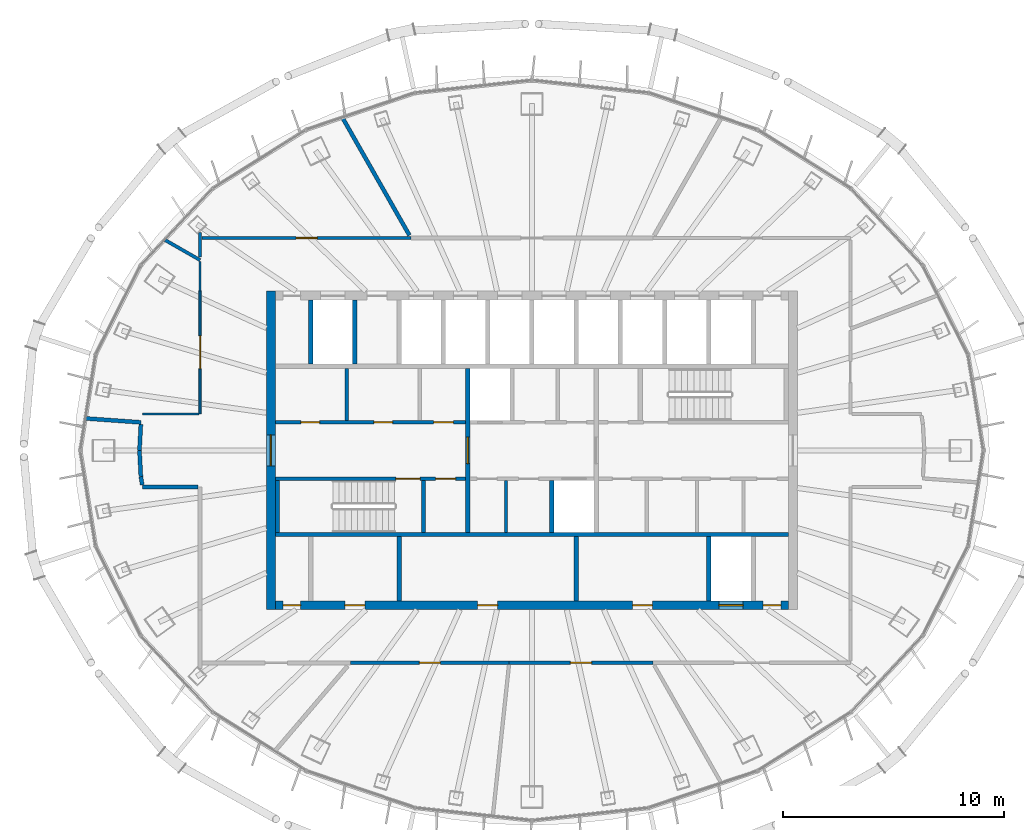
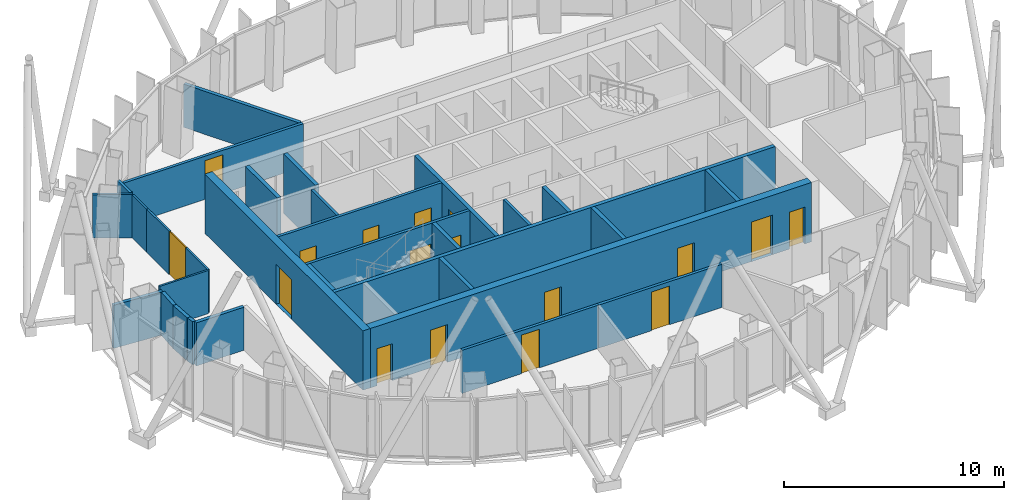
# One storey, part 9 of 18: 30 walls, 17 doors, 17 openings.
"""IFC4 building model written with IfcOpenShell, lengths in metres."""

import ifcopenshell
import ifcopenshell.guid

model = None  # the IFC model being written
_history = None  # IfcOwnerHistory: only IFC2X3 demands one
_inside = {}  # id of a spatial element -> (the spatial element, [elements in it])
_under = {}  # id of a project, library or spatial element -> (it, [spatial elements below it])
_declared = {}  # id of a project -> (the project, [libraries it declares])
_typed = {}  # id of a type object -> (the type object, [elements of that type])
_made_of = {}  # id of a material, layer set ... -> (it, [elements and type objects made of it])


def new_model(schema):
    """Start an empty IFC model of exactly this schema.

    Asked for "IFC4X3", IfcOpenShell would pick the latest addendum, in which some entities
    have other attributes; the version numbers below select the first issue.
    IFC2X3 requires an IfcOwnerHistory on every rooted entity: one is made here for all.
    """
    global model, _history
    if schema == "IFC4X3":
        model = ifcopenshell.file(schema_version=(4, 3, 0, 0))
    else:
        model = ifcopenshell.file(schema=schema)
    _inside.clear()
    _under.clear()
    _declared.clear()
    _typed.clear()
    _made_of.clear()
    _history = None
    if model.schema == "IFC2X3":
        org = make("IfcOrganization", Name="unknown")
        user = make(
            "IfcPersonAndOrganization",
            ThePerson=make("IfcPerson", FamilyName="unknown"),
            TheOrganization=org,
        )
        app = make(
            "IfcApplication",
            ApplicationDeveloper=org,
            Version="unknown",
            ApplicationFullName="unknown",
            ApplicationIdentifier="unknown",
        )
        _history = make(
            "IfcOwnerHistory",
            OwningUser=user,
            OwningApplication=app,
            ChangeAction="ADDED",
            CreationDate=0,
        )
    return model


def make(cls, **values):
    """One entity of the class cls with the attributes given. An attribute that is None is left unset."""
    return model.create_entity(
        cls, **{name: value for name, value in values.items() if value is not None}
    )


def rooted(cls, **values):
    """An entity with a GlobalId (a new one), such as an element, a storey or a relation."""
    return make(cls, GlobalId=ifcopenshell.guid.new(), OwnerHistory=_history, **values)


def si_unit(unit_type, name, prefix=None):
    """IfcSIUnit, for example si_unit("LENGTHUNIT", "METRE", prefix="MILLI")."""
    return make("IfcSIUnit", UnitType=unit_type, Prefix=prefix, Name=name)


def assignment(units):
    """IfcUnitAssignment: the units of a project."""
    return None if units is None else make("IfcUnitAssignment", Units=units)


def point(xyz):
    """IfcCartesianPoint."""
    return None if xyz is None else make("IfcCartesianPoint", Coordinates=xyz)


def direction(xyz):
    """IfcDirection."""
    return None if xyz is None else make("IfcDirection", DirectionRatios=xyz)


def frame(location, z_axis=None, x_axis=None):
    """IfcAxis2Placement3D, a coordinate frame: its origin and axes. An axis left out is left unset."""
    return make(
        "IfcAxis2Placement3D",
        Location=point(location),
        Axis=direction(z_axis),
        RefDirection=direction(x_axis),
    )


def frame_2d(location, x_axis=None):
    """IfcAxis2Placement2D, a coordinate frame in the plane: its origin and x axis."""
    return make(
        "IfcAxis2Placement2D", Location=point(location), RefDirection=direction(x_axis)
    )


def origin():
    """The frame at (0, 0, 0) with its axes left unset."""
    return frame((0.0, 0.0, 0.0))


def place(relative_to, where):
    """IfcLocalPlacement: puts the frame where relative to a parent placement (None: the world)."""
    return make(
        "IfcLocalPlacement", PlacementRelTo=relative_to, RelativePlacement=where
    )


def context(
    kind, dimensions, precision=None, world=None, true_north=None, identifier=None
):
    """IfcGeometricRepresentationContext, for example the 3D "Model" context."""
    return make(
        "IfcGeometricRepresentationContext",
        ContextIdentifier=identifier,
        ContextType=kind,
        CoordinateSpaceDimension=dimensions,
        Precision=precision,
        WorldCoordinateSystem=world,
        TrueNorth=true_north,
    )


def subcontext(parent, identifier, kind, view, scale=None):
    """IfcGeometricRepresentationSubContext, for example "Body" below "Model"."""
    return make(
        "IfcGeometricRepresentationSubContext",
        ContextIdentifier=identifier,
        ContextType=kind,
        ParentContext=parent,
        TargetScale=scale,
        TargetView=view,
    )


def project(units=None, contexts=None):
    """IfcProject with its units and contexts."""
    return rooted(
        "IfcProject",
        Name="project",
        RepresentationContexts=contexts,
        UnitsInContext=assignment(units),
    )


def spatial(cls, under=None, at=None, **own):
    """A site, building, storey or space (cls), placed at a placement, below another one or the project."""
    s = rooted(cls, ObjectPlacement=at, **own)
    if under is not None:
        _under.setdefault(under.id(), (under, []))[1].append(s)
    return s


def profile(cls, at=None, kind="AREA", **sizes):
    """A parametric profile (cls). Its sizes go by their IFC names, for example OverallWidth=200.0."""
    return make(cls, ProfileType=kind, Position=at, **sizes)


def rectangle(**sizes):
    """IfcRectangleProfileDef."""
    return profile("IfcRectangleProfileDef", **sizes)


def extrude(swept, where, along, depth):
    """IfcExtrudedAreaSolid: the profile swept, set in the frame where, extruded along a direction by depth."""
    return make(
        "IfcExtrudedAreaSolid",
        SweptArea=swept,
        Position=where,
        ExtrudedDirection=direction(along),
        Depth=depth,
    )


def shape(context_of_items, identifier, shape_type, items):
    """IfcShapeRepresentation: the items that make up one representation, for example the "Body"."""
    return make(
        "IfcShapeRepresentation",
        ContextOfItems=context_of_items,
        RepresentationIdentifier=identifier,
        RepresentationType=shape_type,
        Items=items,
    )


def material(Name=None, Category=None):
    """IfcMaterial."""
    return make("IfcMaterial", Name=Name, Category=Category)


def layer(
    of_material, thickness, ventilated=None, Name=None, Category=None, Priority=None
):
    """IfcMaterialLayer: one layer of a wall or slab, of a material (None: an air gap)."""
    return make(
        "IfcMaterialLayer",
        Material=of_material,
        LayerThickness=thickness,
        IsVentilated=ventilated,
        Name=Name,
        Category=Category,
        Priority=Priority,
    )


def layer_set(layers, Name=None):
    """IfcMaterialLayerSet."""
    return make("IfcMaterialLayerSet", MaterialLayers=layers, LayerSetName=Name)


def made_of(thing, what):
    """Note that an element or type object is made of a material, layer set ...; save() writes the relation."""
    if what is not None:
        _made_of.setdefault(what.id(), (what, []))[1].append(thing)
    return thing


def type_object(cls, material=None, **own):
    """A type object (cls), such as IfcWallType, which elements share."""
    return made_of(rooted(cls, **own), material)


def element(
    cls,
    number,
    at=None,
    inside=None,
    cuts=None,
    type_object=None,
    material=None,
    context=None,
    identifier="Body",
    shape_type=None,
    held_by="IfcProductDefinitionShape",
    body=None,
    shapes=None,
    **own,
):
    """One element of the class cls, such as IfcWall. Its Tag is "e" and its number.

    at: its placement. inside: the storey or other place that contains it. cuts: it is an
    opening in that element (IfcRelVoidsElement). A single representation is given by context,
    identifier, shape_type and body (its items); several are given by shapes. held_by: the class
    of the entity that holds the representations. save() writes the other relations.
    """
    e = rooted(cls, Tag="e%d" % number, ObjectPlacement=at, **own)
    if body is not None:
        shapes = [shape(context, identifier, shape_type, body)]
    if shapes is not None:
        e.Representation = make(held_by, Representations=shapes)
    if inside is not None:
        _inside.setdefault(inside.id(), (inside, []))[1].append(e)
    if cuts is not None:
        rooted(
            "IfcRelVoidsElement", RelatingBuildingElement=cuts, RelatedOpeningElement=e
        )
    if type_object is not None:
        _typed.setdefault(type_object.id(), (type_object, []))[1].append(e)
    return made_of(e, material)


def fill(opening, filler):
    """IfcRelFillsElement: the door or window that sits in an opening."""
    return rooted(
        "IfcRelFillsElement",
        RelatingOpeningElement=opening,
        RelatedBuildingElement=filler,
    )


def aggregate(whole, parts):
    """IfcRelAggregates: a whole, such as a stair, and the parts it consists of."""
    return rooted("IfcRelAggregates", RelatingObject=whole, RelatedObjects=parts)


def save(model, path):
    """Write the relations noted so far, then the file.

    IfcRelAggregates (storeys below a building ...), IfcRelContainedInSpatialStructure (elements
    in a storey), IfcRelDefinesByType, IfcRelAssociatesMaterial and IfcRelDeclares: one each for
    every whole, place, type object, material and project.
    """
    for whole, parts in _under.values():
        aggregate(whole, parts)
    for where, things in _inside.values():
        rooted(
            "IfcRelContainedInSpatialStructure",
            RelatedElements=things,
            RelatingStructure=where,
        )
    for kind, things in _typed.values():
        rooted("IfcRelDefinesByType", RelatedObjects=things, RelatingType=kind)
    for what, things in _made_of.values():
        rooted("IfcRelAssociatesMaterial", RelatedObjects=things, RelatingMaterial=what)
    for by, libraries in _declared.values():
        rooted("IfcRelDeclares", RelatingContext=by, RelatedDefinitions=libraries)
    model.write(path)


model = new_model("IFC4")

# Units and contexts
model_context = context("Model", 3, precision=1e-05, world=origin(), true_north=direction((0.0, 1.0)))
body_context = subcontext(model_context, "Body", "Model", "MODEL_VIEW")
ifc_project = project(units=[si_unit("LENGTHUNIT", "METRE"), si_unit("AREAUNIT", "SQUARE_METRE"), si_unit("VOLUMEUNIT", "CUBIC_METRE"), si_unit("PLANEANGLEUNIT", "RADIAN"), si_unit("MASSUNIT", "GRAM", prefix="KILO")], contexts=[model_context])

# Site, building, storey
site_placement = place(None, origin())
site = spatial("IfcSite", under=ifc_project, at=site_placement, CompositionType="ELEMENT")
building_placement = place(site_placement, origin())
building = spatial("IfcBuilding", under=site, at=building_placement, Name="Siaravel Broadcast Tower", CompositionType="ELEMENT")
storey_placement = place(building_placement, frame((0.0, 0.0, 261.5)))
storey = spatial("IfcBuildingStorey", under=building, at=storey_placement, Name="L64", CompositionType="ELEMENT", Elevation=261.5)

# Walls
ifc_material_1 = material(Name="Concrete blockwork", Category="masonry")
ifc_layer_1 = layer(ifc_material_1, 0.14990234375)
ifc_layer_set_1 = layer_set([ifc_layer_1], Name="Concrete blockwork")
wall_type_1 = type_object("IfcWallType", Name="Core partition 150", PredefinedType="PARTITIONING", material=ifc_layer_set_1)
for number, where, z_axis, x_axis, name in (
    (1, (-8.37109375, 1.35009765625, 0.0), (0.0, 0.0, 1.0), (0.0, 1.0, 0.0), "L64 core partition PNW0"),
    (2, (-1.172607421875, -3.699951171875, 0.0), (0.0, 0.0, 1.0), (0.0, 1.0, 0.0), "L64 core partition PSM0"),
):
    element("IfcWall", number, at=place(storey_placement, frame(where, z_axis=z_axis, x_axis=x_axis)), inside=storey, type_object=wall_type_1, Name=name, PredefinedType="PARTITIONING", context=body_context, shape_type="SweptSolid", body=[
        extrude(rectangle(XDim=2.349853515625, YDim=0.14990234375, at=frame_2d((1.1748046875, 0.0))), origin(), (0.0, 0.0, 1.0), 3.300048828125),
    ])
ifc_layer_2 = layer(ifc_material_1, 0.199951171875)
ifc_layer_set_2 = layer_set([ifc_layer_2], Name="Concrete blockwork")
wall_type_2 = type_object("IfcWallType", Name="Core partition 200", PredefinedType="PARTITIONING", material=ifc_layer_set_2)
for number, where, z_axis, x_axis, name in (
    (3, (-6.0, -6.800048828125, 0.0), (0.0, 0.0, 1.0), (0.0, 1.0, 0.0), "L64 core partition PFS0"),
    (4, (2.0, -6.800048828125, 0.0), (0.0, 0.0, 1.0), (0.0, 1.0, 0.0), "L64 core partition PFS2"),
):
    element("IfcWall", number, at=place(storey_placement, frame(where, z_axis=z_axis, x_axis=x_axis)), inside=storey, type_object=wall_type_2, Name=name, PredefinedType="PARTITIONING", context=body_context, shape_type="SweptSolid", body=[
        extrude(rectangle(XDim=2.900146484375, YDim=0.199951171875, at=frame_2d((1.4501953125, 0.0))), origin(), (0.0, 0.0, 1.0), 3.300048828125),
    ])

# Wall, opening, door
ifc_material_2 = material(Name="Concrete C60/75", Category="concrete")
ifc_layer_3 = layer(ifc_material_2, 0.39990234375)
ifc_layer_set_3 = layer_set([ifc_layer_3], Name="Concrete C60/75")
wall_type_3 = type_object("IfcWallType", Name="Core wall 400", PredefinedType="SHEAR", material=ifc_layer_set_3)
wall_1_placement = place(storey_placement, frame((-11.800048828125, -7.199951171875, 0.0), z_axis=(0.0, 0.0, 1.0), x_axis=(0.0, 1.0, 0.0)))
wall_1 = element("IfcWall", 5, at=wall_1_placement, inside=storey, type_object=wall_type_3, Name="L64 core wall OW", PredefinedType="SHEAR", context=body_context, shape_type="SweptSolid", body=[
    extrude(rectangle(XDim=14.39990234375, YDim=0.39990234375, at=frame_2d((7.199951171875, 0.0))), origin(), (0.0, 0.0, 1.0), 3.300048828125),
])
opening_1_placement = place(wall_1_placement, frame((6.5, 0.0, 0.0)))
opening_1 = element("IfcOpeningElement", 6, at=opening_1_placement, cuts=wall_1, Name="Opening L64-DX-W", PredefinedType="OPENING", context=body_context, shape_type="SweptSolid", body=[
    extrude(rectangle(XDim=1.39990234375, YDim=2.199951171875, at=frame_2d((0.699951171875, 1.10009765625))), frame((0.0, 0.2099609375, 0.0), z_axis=(0.0, -1.0, 0.0), x_axis=(1.0, 0.0, 0.0)), (0.0, 0.0, 1.0), 0.419921875),
])
ifc_material_3 = material(Name="Steel", Category="steel")
door_type_1 = type_object("IfcDoorType", Name="Core exit door 1400", OperationType="DOUBLE_DOOR_SINGLE_SWING", PredefinedType="DOOR", material=ifc_material_3)
door_1_placement = place(opening_1_placement, origin())
door_1 = element("IfcDoor", 7, at=door_1_placement, inside=storey, type_object=door_type_1, Name="L64 door DX-W", OperationType="DOUBLE_DOOR_SINGLE_SWING", OverallHeight=2.199951171875, OverallWidth=1.39990234375, PredefinedType="DOOR", context=body_context, shape_type="SweptSolid", body=[
    extrude(rectangle(XDim=1.39990234375, YDim=2.199951171875, at=frame_2d((0.699951171875, 1.10009765625))), frame((0.0, 0.02490234375, 0.0), z_axis=(0.0, -1.0, 0.0), x_axis=(1.0, 0.0, 0.0)), (0.0, 0.0, 1.0), 0.050048828125),
])
fill(opening_1, door_1)

# Wall, openings, doors
wall_2_placement = place(storey_placement, frame((-11.60009765625, -7.0, 0.0), z_axis=(0.0, 0.0, 1.0), x_axis=(1.0, 0.0, 0.0)))
wall_2 = element("IfcWall", 8, at=wall_2_placement, inside=storey, type_object=wall_type_3, Name="L64 core wall OS", PredefinedType="SHEAR", context=body_context, shape_type="SweptSolid", body=[
    extrude(rectangle(XDim=23.2001953125, YDim=0.39990234375, at=frame_2d((11.60009765625, 0.0))), origin(), (0.0, 0.0, 1.0), 3.300048828125),
])
opening_2_placement = place(wall_2_placement, frame((20.050048828125, 0.0, 0.0)))
opening_2 = element("IfcOpeningElement", 9, at=opening_2_placement, cuts=wall_2, Name="Opening LD-SV1-L64", PredefinedType="OPENING", context=body_context, shape_type="SweptSolid", body=[
    extrude(rectangle(XDim=1.10009765625, YDim=2.199951171875, at=frame_2d((0.550048828125, 1.10009765625))), frame((0.0, 0.2099609375, 0.0), z_axis=(0.0, -1.0, 0.0), x_axis=(1.0, 0.0, 0.0)), (0.0, 0.0, 1.0), 0.419921875),
])
opening_3_placement = place(wall_2_placement, frame((3.14990234375, 0.0, 0.0)))
opening_3 = element("IfcOpeningElement", 10, at=opening_3_placement, cuts=wall_2, Name="Opening L64-DFS0", PredefinedType="OPENING", context=body_context, shape_type="SweptSolid", body=[
    extrude(rectangle(XDim=0.89990234375, YDim=2.10009765625, at=frame_2d((0.449951171875, 1.050048828125))), frame((0.0, 0.2099609375, 0.0), z_axis=(0.0, -1.0, 0.0), x_axis=(1.0, 0.0, 0.0)), (0.0, 0.0, 1.0), 0.419921875),
])
opening_4_placement = place(wall_2_placement, frame((9.14990234375, 0.0, 0.0)))
opening_4 = element("IfcOpeningElement", 11, at=opening_4_placement, cuts=wall_2, Name="Opening L64-DFS2", PredefinedType="OPENING", context=body_context, shape_type="SweptSolid", body=[
    extrude(rectangle(XDim=0.89990234375, YDim=2.10009765625, at=frame_2d((0.449951171875, 1.050048828125))), frame((0.0, 0.2099609375, 0.0), z_axis=(0.0, -1.0, 0.0), x_axis=(1.0, 0.0, 0.0)), (0.0, 0.0, 1.0), 0.419921875),
])
opening_5_placement = place(wall_2_placement, frame((16.14990234375, 0.0, 0.0)))
opening_5 = element("IfcOpeningElement", 12, at=opening_5_placement, cuts=wall_2, Name="Opening L64-DFS6", PredefinedType="OPENING", context=body_context, shape_type="SweptSolid", body=[
    extrude(rectangle(XDim=0.89990234375, YDim=2.10009765625, at=frame_2d((0.449951171875, 1.050048828125))), frame((0.0, 0.2099609375, 0.0), z_axis=(0.0, -1.0, 0.0), x_axis=(1.0, 0.0, 0.0)), (0.0, 0.0, 1.0), 0.419921875),
])
opening_6_placement = place(wall_2_placement, frame((0.35009765625, 0.0, 0.0)))
opening_6 = element("IfcOpeningElement", 13, at=opening_6_placement, cuts=wall_2, Name="Opening L64-DRSW", PredefinedType="OPENING", context=body_context, shape_type="SweptSolid", body=[
    extrude(rectangle(XDim=0.800048828125, YDim=2.050048828125, at=frame_2d((0.39990234375, 1.02490234375))), frame((0.0, 0.2099609375, 0.0), z_axis=(0.0, -1.0, 0.0), x_axis=(1.0, 0.0, 0.0)), (0.0, 0.0, 1.0), 0.419921875),
])
opening_7_placement = place(wall_2_placement, frame((22.050048828125, 0.0, 0.0)))
opening_7 = element("IfcOpeningElement", 14, at=opening_7_placement, cuts=wall_2, Name="Opening L64-DRSE", PredefinedType="OPENING", context=body_context, shape_type="SweptSolid", body=[
    extrude(rectangle(XDim=0.800048828125, YDim=2.050048828125, at=frame_2d((0.39990234375, 1.02490234375))), frame((0.0, 0.2099609375, 0.0), z_axis=(0.0, -1.0, 0.0), x_axis=(1.0, 0.0, 0.0)), (0.0, 0.0, 1.0), 0.419921875),
])
ifc_material_4 = material(Name="Timber veneer", Category="wood")
door_type_2 = type_object("IfcDoorType", Name="Core room door 900", OperationType="SINGLE_SWING_LEFT", PredefinedType="DOOR", material=ifc_material_4)
door_2_placement = place(opening_3_placement, origin())
door_2 = element("IfcDoor", 15, at=door_2_placement, inside=storey, type_object=door_type_2, Name="L64 door DFS0", OperationType="SINGLE_SWING_LEFT", OverallHeight=2.10009765625, OverallWidth=0.89990234375, PredefinedType="DOOR", context=body_context, shape_type="SweptSolid", body=[
    extrude(rectangle(XDim=0.89990234375, YDim=2.10009765625, at=frame_2d((0.449951171875, 1.050048828125))), frame((0.0, 0.02490234375, 0.0), z_axis=(0.0, -1.0, 0.0), x_axis=(1.0, 0.0, 0.0)), (0.0, 0.0, 1.0), 0.050048828125),
])
fill(opening_3, door_2)
door_3_placement = place(opening_4_placement, origin())
door_3 = element("IfcDoor", 16, at=door_3_placement, inside=storey, type_object=door_type_2, Name="L64 door DFS2", OperationType="SINGLE_SWING_LEFT", OverallHeight=2.10009765625, OverallWidth=0.89990234375, PredefinedType="DOOR", context=body_context, shape_type="SweptSolid", body=[
    extrude(rectangle(XDim=0.89990234375, YDim=2.10009765625, at=frame_2d((0.449951171875, 1.050048828125))), frame((0.0, 0.02490234375, 0.0), z_axis=(0.0, -1.0, 0.0), x_axis=(1.0, 0.0, 0.0)), (0.0, 0.0, 1.0), 0.050048828125),
])
fill(opening_4, door_3)
door_4_placement = place(opening_5_placement, origin())
door_4 = element("IfcDoor", 17, at=door_4_placement, inside=storey, type_object=door_type_2, Name="L64 door DFS6", OperationType="SINGLE_SWING_LEFT", OverallHeight=2.10009765625, OverallWidth=0.89990234375, PredefinedType="DOOR", context=body_context, shape_type="SweptSolid", body=[
    extrude(rectangle(XDim=0.89990234375, YDim=2.10009765625, at=frame_2d((0.449951171875, 1.050048828125))), frame((0.0, 0.02490234375, 0.0), z_axis=(0.0, -1.0, 0.0), x_axis=(1.0, 0.0, 0.0)), (0.0, 0.0, 1.0), 0.050048828125),
])
fill(opening_5, door_4)
door_type_3 = type_object("IfcDoorType", Name="Riser door 800", OperationType="SINGLE_SWING_LEFT", PredefinedType="DOOR", material=ifc_material_3)
door_5_placement = place(opening_6_placement, origin())
door_5 = element("IfcDoor", 18, at=door_5_placement, inside=storey, type_object=door_type_3, Name="L64 door DRSW", OperationType="SINGLE_SWING_LEFT", OverallHeight=2.050048828125, OverallWidth=0.800048828125, PredefinedType="DOOR", context=body_context, shape_type="SweptSolid", body=[
    extrude(rectangle(XDim=0.800048828125, YDim=2.050048828125, at=frame_2d((0.39990234375, 1.02490234375))), frame((0.0, 0.02490234375, 0.0), z_axis=(0.0, -1.0, 0.0), x_axis=(1.0, 0.0, 0.0)), (0.0, 0.0, 1.0), 0.050048828125),
])
fill(opening_6, door_5)
door_6_placement = place(opening_7_placement, origin())
door_6 = element("IfcDoor", 19, at=door_6_placement, inside=storey, type_object=door_type_3, Name="L64 door DRSE", OperationType="SINGLE_SWING_LEFT", OverallHeight=2.050048828125, OverallWidth=0.800048828125, PredefinedType="DOOR", context=body_context, shape_type="SweptSolid", body=[
    extrude(rectangle(XDim=0.800048828125, YDim=2.050048828125, at=frame_2d((0.39990234375, 1.02490234375))), frame((0.0, 0.02490234375, 0.0), z_axis=(0.0, -1.0, 0.0), x_axis=(1.0, 0.0, 0.0)), (0.0, 0.0, 1.0), 0.050048828125),
])
fill(opening_7, door_6)
ifc_material_5 = material(Name="Stainless steel 316L", Category="steel")
door_type_4 = type_object("IfcDoorType", Name="Service lift landing door 1100", OperationType="DOUBLE_DOOR_SLIDING", PredefinedType="DOOR", material=ifc_material_5)
door_7_placement = place(opening_2_placement, origin())
door_7 = element("IfcDoor", 20, at=door_7_placement, inside=storey, type_object=door_type_4, Name="Landing door SV1 L64", OperationType="DOUBLE_DOOR_SLIDING", OverallHeight=2.199951171875, OverallWidth=1.10009765625, PredefinedType="DOOR", context=body_context, shape_type="SweptSolid", body=[
    extrude(rectangle(XDim=1.10009765625, YDim=2.199951171875, at=frame_2d((0.550048828125, 1.10009765625))), frame((0.0, 0.02490234375, 0.0), z_axis=(0.0, -1.0, 0.0), x_axis=(1.0, 0.0, 0.0)), (0.0, 0.0, 1.0), 0.050048828125),
])
fill(opening_2, door_7)

ifc_material_6 = material(Name="Gypsum board partition", Category="gypsum")
ifc_layer_4 = layer(ifc_material_6, 0.14990234375)
ifc_layer_set_4 = layer_set([ifc_layer_4], Name="Gypsum board partition")
wall_type_4 = type_object("IfcWallType", Name="Corridor wall 150", PredefinedType="PARTITIONING", material=ifc_layer_set_4)
wall_3_placement = place(storey_placement, frame((-11.60009765625, 1.27490234375, 0.0), z_axis=(0.0, 0.0, 1.0), x_axis=(1.0, 0.0, 0.0)))
wall_3 = element("IfcWall", 21, at=wall_3_placement, inside=storey, type_object=wall_type_4, Name="L64 core partition CNW", PredefinedType="PARTITIONING", context=body_context, shape_type="SweptSolid", body=[
    extrude(rectangle(XDim=8.60009765625, YDim=0.14990234375, at=frame_2d((4.300048828125, 0.0))), origin(), (0.0, 0.0, 1.0), 3.300048828125),
])
opening_8_placement = place(wall_3_placement, frame((1.152099609375, 0.0, 0.0)))
opening_8 = element("IfcOpeningElement", 22, at=opening_8_placement, cuts=wall_3, Name="Opening L64-DNW0", PredefinedType="OPENING", context=body_context, shape_type="SweptSolid", body=[
    extrude(rectangle(XDim=0.85009765625, YDim=2.10009765625, at=frame_2d((0.425048828125, 1.050048828125))), frame((0.0, 0.0849609375, 0.0), z_axis=(0.0, -1.0, 0.0), x_axis=(1.0, 0.0, 0.0)), (0.0, 0.0, 1.0), 0.169921875),
])
opening_9_placement = place(wall_3_placement, frame((4.4560546875, 0.0, 0.0)))
opening_9 = element("IfcOpeningElement", 23, at=opening_9_placement, cuts=wall_3, Name="Opening L64-DNW1", PredefinedType="OPENING", context=body_context, shape_type="SweptSolid", body=[
    extrude(rectangle(XDim=0.85009765625, YDim=2.10009765625, at=frame_2d((0.425048828125, 1.050048828125))), frame((0.0, 0.0849609375, 0.0), z_axis=(0.0, -1.0, 0.0), x_axis=(1.0, 0.0, 0.0)), (0.0, 0.0, 1.0), 0.169921875),
])
opening_10_placement = place(wall_3_placement, frame((7.154052734375, 0.0, 0.0)))
opening_10 = element("IfcOpeningElement", 24, at=opening_10_placement, cuts=wall_3, Name="Opening L64-DNW2", PredefinedType="OPENING", context=body_context, shape_type="SweptSolid", body=[
    extrude(rectangle(XDim=0.89990234375, YDim=2.10009765625, at=frame_2d((0.449951171875, 1.050048828125))), frame((0.0, 0.0849609375, 0.0), z_axis=(0.0, -1.0, 0.0), x_axis=(1.0, 0.0, 0.0)), (0.0, 0.0, 1.0), 0.169921875),
])
door_8_placement = place(opening_10_placement, origin())
door_8 = element("IfcDoor", 25, at=door_8_placement, inside=storey, type_object=door_type_2, Name="L64 door DNW2", OperationType="SINGLE_SWING_LEFT", OverallHeight=2.10009765625, OverallWidth=0.89990234375, PredefinedType="DOOR", context=body_context, shape_type="SweptSolid", body=[
    extrude(rectangle(XDim=0.89990234375, YDim=2.10009765625, at=frame_2d((0.449951171875, 1.050048828125))), frame((0.0, 0.02490234375, 0.0), z_axis=(0.0, -1.0, 0.0), x_axis=(1.0, 0.0, 0.0)), (0.0, 0.0, 1.0), 0.050048828125),
])
fill(opening_10, door_8)
door_type_5 = type_object("IfcDoorType", Name="Core toilet door 850", OperationType="SINGLE_SWING_LEFT", PredefinedType="DOOR", material=ifc_material_4)
door_9_placement = place(opening_8_placement, origin())
door_9 = element("IfcDoor", 26, at=door_9_placement, inside=storey, type_object=door_type_5, Name="L64 door DNW0", OperationType="SINGLE_SWING_LEFT", OverallHeight=2.10009765625, OverallWidth=0.85009765625, PredefinedType="DOOR", context=body_context, shape_type="SweptSolid", body=[
    extrude(rectangle(XDim=0.85009765625, YDim=2.10009765625, at=frame_2d((0.425048828125, 1.050048828125))), frame((0.0, 0.02490234375, 0.0), z_axis=(0.0, -1.0, 0.0), x_axis=(1.0, 0.0, 0.0)), (0.0, 0.0, 1.0), 0.050048828125),
])
fill(opening_8, door_9)
door_10_placement = place(opening_9_placement, origin())
door_10 = element("IfcDoor", 27, at=door_10_placement, inside=storey, type_object=door_type_5, Name="L64 door DNW1", OperationType="SINGLE_SWING_LEFT", OverallHeight=2.10009765625, OverallWidth=0.85009765625, PredefinedType="DOOR", context=body_context, shape_type="SweptSolid", body=[
    extrude(rectangle(XDim=0.85009765625, YDim=2.10009765625, at=frame_2d((0.425048828125, 1.050048828125))), frame((0.0, 0.02490234375, 0.0), z_axis=(0.0, -1.0, 0.0), x_axis=(1.0, 0.0, 0.0)), (0.0, 0.0, 1.0), 0.050048828125),
])
fill(opening_9, door_10)

# Wall, opening, door
wall_4_placement = place(storey_placement, frame((-5.465087890625, 9.60009765625, 0.0), z_axis=(0.0, 0.0, 1.0), x_axis=(-1.0, 0.0, 0.0)))
wall_4 = element("IfcWall", 28, at=wall_4_placement, inside=storey, type_object=wall_type_4, Name="L64 partition 2", PredefinedType="PARTITIONING", context=body_context, shape_type="SweptSolid", body=[
    extrude(rectangle(XDim=9.438720703125, YDim=0.14990234375, at=frame_2d((4.71923828125, 0.0))), origin(), (0.0, 0.0, 1.0), 2.39990234375),
])
opening_11_placement = place(wall_4_placement, frame((4.244384765625, 0.0, 0.0)))
opening_11 = element("IfcOpeningElement", 29, at=opening_11_placement, cuts=wall_4, Name="Opening L64-004", PredefinedType="OPENING", context=body_context, shape_type="SweptSolid", body=[
    extrude(rectangle(XDim=0.949951171875, YDim=2.14990234375, at=frame_2d((0.47509765625, 1.074951171875))), frame((0.0, 0.0849609375, 0.0), z_axis=(0.0, -1.0, 0.0), x_axis=(1.0, 0.0, 0.0)), (0.0, 0.0, 1.0), 0.169921875),
])
door_type_6 = type_object("IfcDoorType", Name="Office door 950", OperationType="SINGLE_SWING_LEFT", PredefinedType="DOOR", material=ifc_material_4)
door_11_placement = place(opening_11_placement, origin())
door_11 = element("IfcDoor", 30, at=door_11_placement, inside=storey, type_object=door_type_6, Name="L64 door to Reception", OperationType="SINGLE_SWING_RIGHT", OverallHeight=2.14990234375, OverallWidth=0.949951171875, PredefinedType="DOOR", context=body_context, shape_type="SweptSolid", body=[
    extrude(rectangle(XDim=0.949951171875, YDim=2.14990234375, at=frame_2d((0.47509765625, 1.074951171875))), frame((0.0, 0.02490234375, 0.0), z_axis=(0.0, -1.0, 0.0), x_axis=(1.0, 0.0, 0.0)), (0.0, 0.0, 1.0), 0.050048828125),
])
fill(opening_11, door_11)

wall_5_placement = place(storey_placement, frame((-8.206298828125, -9.60009765625, 0.0), z_axis=(0.0, 0.0, 1.0), x_axis=(1.0, 0.0, 0.0)))
wall_5 = element("IfcWall", 31, at=wall_5_placement, inside=storey, type_object=wall_type_4, Name="L64 partition 5", PredefinedType="PARTITIONING", context=body_context, shape_type="SweptSolid", body=[
    extrude(rectangle(XDim=7.180908203125, YDim=0.14990234375, at=frame_2d((3.59033203125, 0.0))), origin(), (0.0, 0.0, 1.0), 2.39990234375),
])
opening_12_placement = place(wall_5_placement, frame((3.115478515625, 0.0, 0.0)))
opening_12 = element("IfcOpeningElement", 32, at=opening_12_placement, cuts=wall_5, Name="Opening L64-007", PredefinedType="OPENING", context=body_context, shape_type="SweptSolid", body=[
    extrude(rectangle(XDim=0.949951171875, YDim=2.14990234375, at=frame_2d((0.47509765625, 1.074951171875))), frame((0.0, 0.0849609375, 0.0), z_axis=(0.0, -1.0, 0.0), x_axis=(1.0, 0.0, 0.0)), (0.0, 0.0, 1.0), 0.169921875),
])
door_12_placement = place(opening_12_placement, origin())
door_12 = element("IfcDoor", 33, at=door_12_placement, inside=storey, type_object=door_type_6, Name="L64 door to Reception", OperationType="SINGLE_SWING_LEFT", OverallHeight=2.14990234375, OverallWidth=0.949951171875, PredefinedType="DOOR", context=body_context, shape_type="SweptSolid", body=[
    extrude(rectangle(XDim=0.949951171875, YDim=2.14990234375, at=frame_2d((0.47509765625, 1.074951171875))), frame((0.0, 0.02490234375, 0.0), z_axis=(0.0, -1.0, 0.0), x_axis=(1.0, 0.0, 0.0)), (0.0, 0.0, 1.0), 0.050048828125),
])
fill(opening_12, door_12)

wall_6_placement = place(storey_placement, frame((-1.025390625, -9.60009765625, 0.0), z_axis=(0.0, 0.0, 1.0), x_axis=(1.0, 0.0, 0.0)))
wall_6 = element("IfcWall", 34, at=wall_6_placement, inside=storey, type_object=wall_type_4, Name="L64 partition 8", PredefinedType="PARTITIONING", context=body_context, shape_type="SweptSolid", body=[
    extrude(rectangle(XDim=6.490478515625, YDim=0.14990234375, at=frame_2d((3.2451171875, 0.0))), origin(), (0.0, 0.0, 1.0), 2.39990234375),
])
opening_13_placement = place(wall_6_placement, frame((2.770263671875, 0.0, 0.0)))
opening_13 = element("IfcOpeningElement", 35, at=opening_13_placement, cuts=wall_6, Name="Opening L64-008", PredefinedType="OPENING", context=body_context, shape_type="SweptSolid", body=[
    extrude(rectangle(XDim=0.949951171875, YDim=2.14990234375, at=frame_2d((0.47509765625, 1.074951171875))), frame((0.0, 0.0849609375, 0.0), z_axis=(0.0, -1.0, 0.0), x_axis=(1.0, 0.0, 0.0)), (0.0, 0.0, 1.0), 0.169921875),
])
door_13_placement = place(opening_13_placement, origin())
door_13 = element("IfcDoor", 36, at=door_13_placement, inside=storey, type_object=door_type_6, Name="L64 door to Reception", OperationType="SINGLE_SWING_RIGHT", OverallHeight=2.14990234375, OverallWidth=0.949951171875, PredefinedType="DOOR", context=body_context, shape_type="SweptSolid", body=[
    extrude(rectangle(XDim=0.949951171875, YDim=2.14990234375, at=frame_2d((0.47509765625, 1.074951171875))), frame((0.0, 0.02490234375, 0.0), z_axis=(0.0, -1.0, 0.0), x_axis=(1.0, 0.0, 0.0)), (0.0, 0.0, 1.0), 0.050048828125),
])
fill(opening_13, door_13)

# Wall
wall_7_placement = place(storey_placement, frame((-15.0, 9.858154296875, 0.0), z_axis=(0.0, 0.0, 1.0), x_axis=(0.0, -1.0, 0.0)))
element("IfcWall", 37, at=wall_7_placement, inside=storey, type_object=wall_type_4, Name="L64 partition 33", PredefinedType="PARTITIONING", context=body_context, shape_type="SweptSolid", body=[
    extrude(rectangle(XDim=1.123291015625, YDim=0.14990234375, at=frame_2d((0.5615234375, 0.0))), origin(), (0.0, 0.0, 1.0), 2.39990234375),
])

# Wall, opening, door
ifc_material_7 = material(Name="Glazed aluminium partition", Category="aluminium")
ifc_layer_5 = layer(ifc_material_7, 0.10009765625)
ifc_layer_set_5 = layer_set([ifc_layer_5], Name="Glazed aluminium partition")
wall_type_5 = type_object("IfcWallType", Name="Glazed meeting room partition 100", PredefinedType="PARTITIONING", material=ifc_layer_set_5)
wall_8_placement = place(storey_placement, frame((-15.0, 7.2119140625, 0.0), z_axis=(0.0, 0.0, 1.0), x_axis=(0.0, -1.0, 0.0)))
wall_8 = element("IfcWall", 38, at=wall_8_placement, inside=storey, type_object=wall_type_5, Name="L64 partition 13", PredefinedType="PARTITIONING", context=body_context, shape_type="SweptSolid", body=[
    extrude(rectangle(XDim=5.56201171875, YDim=0.10009765625, at=frame_2d((2.781005859375, 0.0))), origin(), (0.0, 0.0, 1.0), 2.39990234375),
])
opening_14_placement = place(wall_8_placement, frame((2.031005859375, 0.0, 0.0)))
opening_14 = element("IfcOpeningElement", 39, at=opening_14_placement, cuts=wall_8, Name="Opening L64-005", PredefinedType="OPENING", context=body_context, shape_type="SweptSolid", body=[
    extrude(rectangle(XDim=1.5, YDim=2.39990234375, at=frame_2d((0.75, 1.199951171875))), frame((0.0, 0.06005859375, 0.0), z_axis=(0.0, -1.0, 0.0), x_axis=(1.0, 0.0, 0.0)), (0.0, 0.0, 1.0), 0.1201171875),
])
door_type_7 = type_object("IfcDoorType", Name="Conference double door 1500", OperationType="DOUBLE_DOOR_SINGLE_SWING", PredefinedType="DOOR", material=ifc_material_4)
door_14_placement = place(opening_14_placement, origin())
door_14 = element("IfcDoor", 40, at=door_14_placement, inside=storey, type_object=door_type_7, Name="L64 door to Conference room", OperationType="DOUBLE_DOOR_SINGLE_SWING", OverallHeight=2.39990234375, OverallWidth=1.5, PredefinedType="DOOR", context=body_context, shape_type="SweptSolid", body=[
    extrude(rectangle(XDim=1.5, YDim=2.39990234375, at=frame_2d((0.75, 1.199951171875))), frame((0.0, 0.02490234375, 0.0), z_axis=(0.0, -1.0, 0.0), x_axis=(1.0, 0.0, 0.0)), (0.0, 0.0, 1.0), 0.050048828125),
])
fill(opening_14, door_14)

# Walls
wall_9_placement = place(storey_placement, frame((-15.052001953125, 1.64990234375, 0.0), z_axis=(0.0, 0.0, 1.0), x_axis=(-1.0, 0.0, 0.0)))
element("IfcWall", 41, at=wall_9_placement, inside=storey, type_object=wall_type_5, Name="L64 partition 22", PredefinedType="PARTITIONING", context=body_context, shape_type="SweptSolid", body=[
    extrude(rectangle(XDim=2.549072265625, YDim=0.10009765625, at=frame_2d((1.2744140625, 0.0))), origin(), (0.0, 0.0, 1.0), 2.39990234375),
])
wall_10_placement = place(storey_placement, frame((-15.0, 8.5361328125, 0.0), z_axis=(0.0, 0.0, 1.0), x_axis=(0.0, -1.0, 0.0)))
element("IfcWall", 42, at=wall_10_placement, inside=storey, type_object=wall_type_5, Name="L64 partition 30", PredefinedType="PARTITIONING", context=body_context, shape_type="SweptSolid", body=[
    extrude(rectangle(XDim=1.3232421875, YDim=0.10009765625, at=frame_2d((0.66162109375, 0.0))), origin(), (0.0, 0.0, 1.0), 2.39990234375),
])
ifc_layer_6 = layer(ifc_material_6, 0.14990234375)
ifc_layer_set_6 = layer_set([ifc_layer_6], Name="Gypsum board partition")
wall_type_6 = type_object("IfcWallType", Name="Room partition 150", PredefinedType="PARTITIONING", material=ifc_layer_set_6)
wall_11_placement = place(storey_placement, frame((-16.57568359375, 9.507080078125, 0.0), z_axis=(0.0, 0.0, 1.0), x_axis=(0.867431435, -0.497556736, 0.0)))
element("IfcWall", 43, at=wall_11_placement, inside=storey, type_object=wall_type_6, Name="L64 partition 27", PredefinedType="PARTITIONING", context=body_context, shape_type="SweptSolid", body=[
    extrude(rectangle(XDim=1.81640625, YDim=0.14990234375, at=frame_2d((0.908203125, 0.0))), origin(), (0.0, 0.0, 1.0), 2.39990234375),
])
ifc_layer_7 = layer(ifc_material_1, 0.179931640625)
ifc_layer_set_7 = layer_set([ifc_layer_7], Name="Concrete blockwork")
wall_type_7 = type_object("IfcWallType", Name="Service room fire partition 180", PredefinedType="PARTITIONING", material=ifc_layer_set_7)
wall_12_placement = place(storey_placement, frame((-8.54638671875, 15.01220703125, 0.0), z_axis=(0.0, 0.0, 1.0), x_axis=(0.494747774, -0.869036616, 0.0)))
element("IfcWall", 44, at=wall_12_placement, inside=storey, type_object=wall_type_7, Name="L64 partition 9", PredefinedType="PARTITIONING", context=body_context, shape_type="SweptSolid", body=[
    extrude(rectangle(XDim=6.08837890625, YDim=0.179931640625, at=frame_2d((3.044189453125, 0.0))), origin(), (0.0, 0.0, 1.0), 2.39990234375),
])
wall_13_placement = place(storey_placement, frame((-17.60107421875, -1.64990234375, 0.0), z_axis=(0.0, 0.0, 1.0), x_axis=(1.0, 0.0, 0.0)))
element("IfcWall", 45, at=wall_13_placement, inside=storey, type_object=wall_type_7, Name="L64 partition 21", PredefinedType="PARTITIONING", context=body_context, shape_type="SweptSolid", body=[
    extrude(rectangle(XDim=2.509033203125, YDim=0.179931640625, at=frame_2d((1.25439453125, 0.0))), origin(), (0.0, 0.0, 1.0), 2.39990234375),
])
wall_14_placement = place(storey_placement, frame((-20.16650390625, 1.4453125, 0.0), z_axis=(0.0, 0.0, 1.0), x_axis=(0.997442317, -0.071476043, 0.0)))
element("IfcWall", 46, at=wall_14_placement, inside=storey, type_object=wall_type_7, Name="L64 partition 24", PredefinedType="PARTITIONING", context=body_context, shape_type="SweptSolid", body=[
    extrude(rectangle(XDim=2.500244140625, YDim=0.179931640625, at=frame_2d((1.25, 0.0))), origin(), (0.0, 0.0, 1.0), 2.39990234375),
])
wall_15_placement = place(storey_placement, frame((-17.67724609375, 1.174560546875, 0.0), z_axis=(0.0, 0.0, 1.0), x_axis=(-0.053343191, -0.998576238, 0.0)))
element("IfcWall", 47, at=wall_15_placement, inside=storey, type_object=wall_type_7, Name="L64 partition 31", PredefinedType="PARTITIONING", context=body_context, shape_type="SweptSolid", body=[
    extrude(rectangle(XDim=1.17626953125, YDim=0.179931640625, at=frame_2d((0.588134765625, 0.0))), origin(), (0.0, 0.0, 1.0), 2.39990234375),
])
wall_16_placement = place(storey_placement, frame((-17.7392578125, -0.011474609375, 0.0), z_axis=(0.0, 0.0, 1.0), x_axis=(0.053207511, -0.998583477, 0.0)))
element("IfcWall", 48, at=wall_16_placement, inside=storey, type_object=wall_type_7, Name="L64 partition 34", PredefinedType="PARTITIONING", context=body_context, shape_type="SweptSolid", body=[
    extrude(rectangle(XDim=1.16552734375, YDim=0.179931640625, at=frame_2d((0.582763671875, 0.0))), origin(), (0.0, 0.0, 1.0), 2.39990234375),
])
wall_17_placement = place(storey_placement, frame((-17.675537109375, -1.186767578125, 0.0), z_axis=(0.0, 0.0, 1.0), x_axis=(0.158745494, -0.987319537, 0.0)))
element("IfcWall", 49, at=wall_17_placement, inside=storey, type_object=wall_type_7, Name="L64 partition 36", PredefinedType="PARTITIONING", context=body_context, shape_type="SweptSolid", body=[
    extrude(rectangle(XDim=0.37841796875, YDim=0.179931640625, at=frame_2d((0.189208984375, 0.0))), origin(), (0.0, 0.0, 1.0), 2.39990234375),
])

# Wall, openings, doors
ifc_layer_8 = layer(ifc_material_2, 0.14990234375)
ifc_layer_set_8 = layer_set([ifc_layer_8], Name="Concrete C60/75")
wall_type_8 = type_object("IfcWallType", Name="Shaft wall 150", PredefinedType="SHEAR", material=ifc_layer_set_8)
wall_18_placement = place(storey_placement, frame((-11.60009765625, -1.27490234375, 0.0), z_axis=(0.0, 0.0, 1.0), x_axis=(1.0, 0.0, 0.0)))
wall_18 = element("IfcWall", 50, at=wall_18_placement, inside=storey, type_object=wall_type_8, Name="L64 core wall CSW", PredefinedType="SHEAR", context=body_context, shape_type="SweptSolid", body=[
    extrude(rectangle(XDim=8.60009765625, YDim=0.14990234375, at=frame_2d((4.300048828125, 0.0))), origin(), (0.0, 0.0, 1.0), 3.300048828125),
])
opening_15_placement = place(wall_18_placement, frame((5.449951171875, 0.0, 0.0)))
opening_15 = element("IfcOpeningElement", 51, at=opening_15_placement, cuts=wall_18, Name="Opening L64-DS-1", PredefinedType="OPENING", context=body_context, shape_type="SweptSolid", body=[
    extrude(rectangle(XDim=1.10009765625, YDim=2.14990234375, at=frame_2d((0.550048828125, 1.074951171875))), frame((0.0, 0.0849609375, 0.0), z_axis=(0.0, -1.0, 0.0), x_axis=(1.0, 0.0, 0.0)), (0.0, 0.0, 1.0), 0.169921875),
])
opening_16_placement = place(wall_18_placement, frame((7.25, 0.0, 0.0)))
opening_16 = element("IfcOpeningElement", 52, at=opening_16_placement, cuts=wall_18, Name="Opening L64-DSW0", PredefinedType="OPENING", context=body_context, shape_type="SweptSolid", body=[
    extrude(rectangle(XDim=0.89990234375, YDim=2.10009765625, at=frame_2d((0.449951171875, 1.050048828125))), frame((0.0, 0.0849609375, 0.0), z_axis=(0.0, -1.0, 0.0), x_axis=(1.0, 0.0, 0.0)), (0.0, 0.0, 1.0), 0.169921875),
])
door_15_placement = place(opening_16_placement, origin())
door_15 = element("IfcDoor", 53, at=door_15_placement, inside=storey, type_object=door_type_2, Name="L64 door DSW0", OperationType="SINGLE_SWING_LEFT", OverallHeight=2.10009765625, OverallWidth=0.89990234375, PredefinedType="DOOR", context=body_context, shape_type="SweptSolid", body=[
    extrude(rectangle(XDim=0.89990234375, YDim=2.10009765625, at=frame_2d((0.449951171875, 1.050048828125))), frame((0.0, 0.02490234375, 0.0), z_axis=(0.0, -1.0, 0.0), x_axis=(1.0, 0.0, 0.0)), (0.0, 0.0, 1.0), 0.050048828125),
])
fill(opening_16, door_15)
door_type_8 = type_object("IfcDoorType", Name="Stair door 1100", OperationType="SINGLE_SWING_LEFT", PredefinedType="DOOR", material=ifc_material_3)
door_16_placement = place(opening_15_placement, origin())
door_16 = element("IfcDoor", 54, at=door_16_placement, inside=storey, type_object=door_type_8, Name="L64 door DS-1", OperationType="SINGLE_SWING_LEFT", OverallHeight=2.14990234375, OverallWidth=1.10009765625, PredefinedType="DOOR", context=body_context, shape_type="SweptSolid", body=[
    extrude(rectangle(XDim=1.10009765625, YDim=2.14990234375, at=frame_2d((0.550048828125, 1.074951171875))), frame((0.0, 0.02490234375, 0.0), z_axis=(0.0, -1.0, 0.0), x_axis=(1.0, 0.0, 0.0)), (0.0, 0.0, 1.0), 0.050048828125),
])
fill(opening_15, door_16)

# Walls
ifc_layer_9 = layer(ifc_material_2, 0.199951171875)
ifc_layer_set_9 = layer_set([ifc_layer_9], Name="Concrete C60/75")
wall_type_9 = type_object("IfcWallType", Name="Shaft wall 200", PredefinedType="SHEAR", material=ifc_layer_set_9)
wall_19_placement = place(storey_placement, frame((-11.60009765625, -3.800048828125, 0.0), z_axis=(0.0, 0.0, 1.0), x_axis=(1.0, 0.0, 0.0)))
element("IfcWall", 55, at=wall_19_placement, inside=storey, type_object=wall_type_9, Name="L64 core wall BS", PredefinedType="SHEAR", context=body_context, shape_type="SweptSolid", body=[
    extrude(rectangle(XDim=23.2001953125, YDim=0.199951171875, at=frame_2d((11.60009765625, 0.0))), origin(), (0.0, 0.0, 1.0), 3.300048828125),
])
for number, where, z_axis, x_axis, name in (
    (56, (8.0, -6.800048828125, 0.0), (0.0, 0.0, 1.0), (0.0, 1.0, 0.0), "L64 core wall SWS9"),
    (57, (-10.0, 3.89990234375, 0.0), (0.0, 0.0, 1.0), (0.0, 1.0, 0.0), "L64 core wall SWN0"),
    (58, (-8.0, 3.89990234375, 0.0), (0.0, 0.0, 1.0), (0.0, 1.0, 0.0), "L64 core wall SWN1"),
):
    element("IfcWall", number, at=place(storey_placement, frame(where, z_axis=z_axis, x_axis=x_axis)), inside=storey, type_object=wall_type_9, Name=name, PredefinedType="SHEAR", context=body_context, shape_type="SweptSolid", body=[
        extrude(rectangle(XDim=2.900146484375, YDim=0.199951171875, at=frame_2d((1.4501953125, 0.0))), origin(), (0.0, 0.0, 1.0), 3.300048828125),
    ])

# Wall, opening, door
wall_20_placement = place(storey_placement, frame((-2.89990234375, -3.699951171875, 0.0), z_axis=(0.0, 0.0, 1.0), x_axis=(0.0, 1.0, 0.0)))
wall_20 = element("IfcWall", 59, at=wall_20_placement, inside=storey, type_object=wall_type_9, Name="L64 core wall LW", PredefinedType="SHEAR", context=body_context, shape_type="SweptSolid", body=[
    extrude(rectangle(XDim=7.39990234375, YDim=0.199951171875, at=frame_2d((3.699951171875, 0.0))), origin(), (0.0, 0.0, 1.0), 3.300048828125),
])
opening_17_placement = place(wall_20_placement, frame((3.10009765625, 0.0, 0.0)))
opening_17 = element("IfcOpeningElement", 60, at=opening_17_placement, cuts=wall_20, Name="Opening L64-DL-W", PredefinedType="OPENING", context=body_context, shape_type="SweptSolid", body=[
    extrude(rectangle(XDim=1.199951171875, YDim=2.199951171875, at=frame_2d((0.60009765625, 1.10009765625))), frame((0.0, 0.10986328125, 0.0), z_axis=(0.0, -1.0, 0.0), x_axis=(1.0, 0.0, 0.0)), (0.0, 0.0, 1.0), 0.219970703125),
])
door_type_9 = type_object("IfcDoorType", Name="Firefighting lobby door 1200", OperationType="SINGLE_SWING_LEFT", PredefinedType="DOOR", material=ifc_material_3)
door_17_placement = place(opening_17_placement, origin())
door_17 = element("IfcDoor", 61, at=door_17_placement, inside=storey, type_object=door_type_9, Name="L64 door DL-W", OperationType="SINGLE_SWING_LEFT", OverallHeight=2.199951171875, OverallWidth=1.199951171875, PredefinedType="DOOR", context=body_context, shape_type="SweptSolid", body=[
    extrude(rectangle(XDim=1.199951171875, YDim=2.199951171875, at=frame_2d((0.60009765625, 1.10009765625))), frame((0.0, 0.02490234375, 0.0), z_axis=(0.0, -1.0, 0.0), x_axis=(1.0, 0.0, 0.0)), (0.0, 0.0, 1.0), 0.050048828125),
])
fill(opening_17, door_17)

# Walls
for number, where, z_axis, x_axis, name in (
    (62, (0.89990234375, -3.699951171875, 0.0), (0.0, 0.0, 1.0), (0.0, 1.0, 0.0), "L64 core wall FF2W"),
    (63, (-11.5, -3.699951171875, 0.0), (0.0, 0.0, 1.0), (0.0, 1.0, 0.0), "L64 core wall ST1W"),
    (64, (-4.89990234375, -3.699951171875, 0.0), (0.0, 0.0, 1.0), (0.0, 1.0, 0.0), "L64 core wall ST1E"),
):
    element("IfcWall", number, at=place(storey_placement, frame(where, z_axis=z_axis, x_axis=x_axis)), inside=storey, type_object=wall_type_9, Name=name, PredefinedType="SHEAR", context=body_context, shape_type="SweptSolid", body=[
        extrude(rectangle(XDim=2.349853515625, YDim=0.199951171875, at=frame_2d((1.1748046875, 0.0))), origin(), (0.0, 0.0, 1.0), 3.300048828125),
    ])

save(model, "model.ifc")
